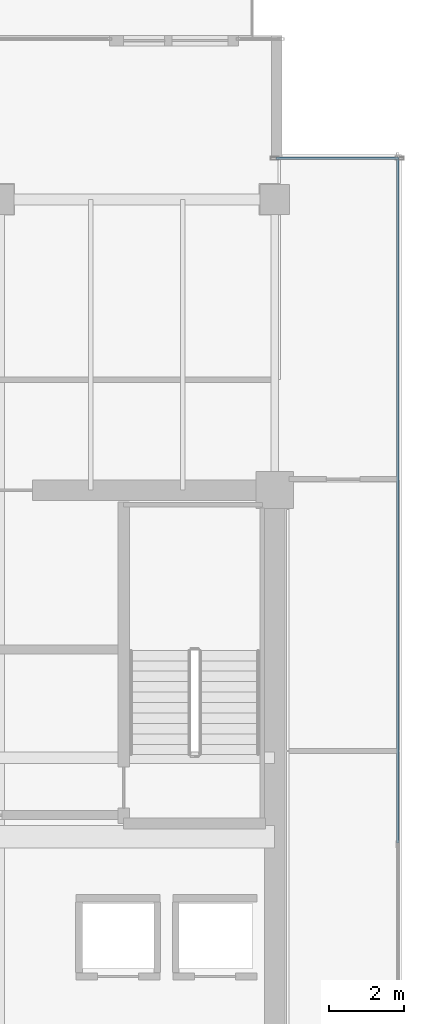
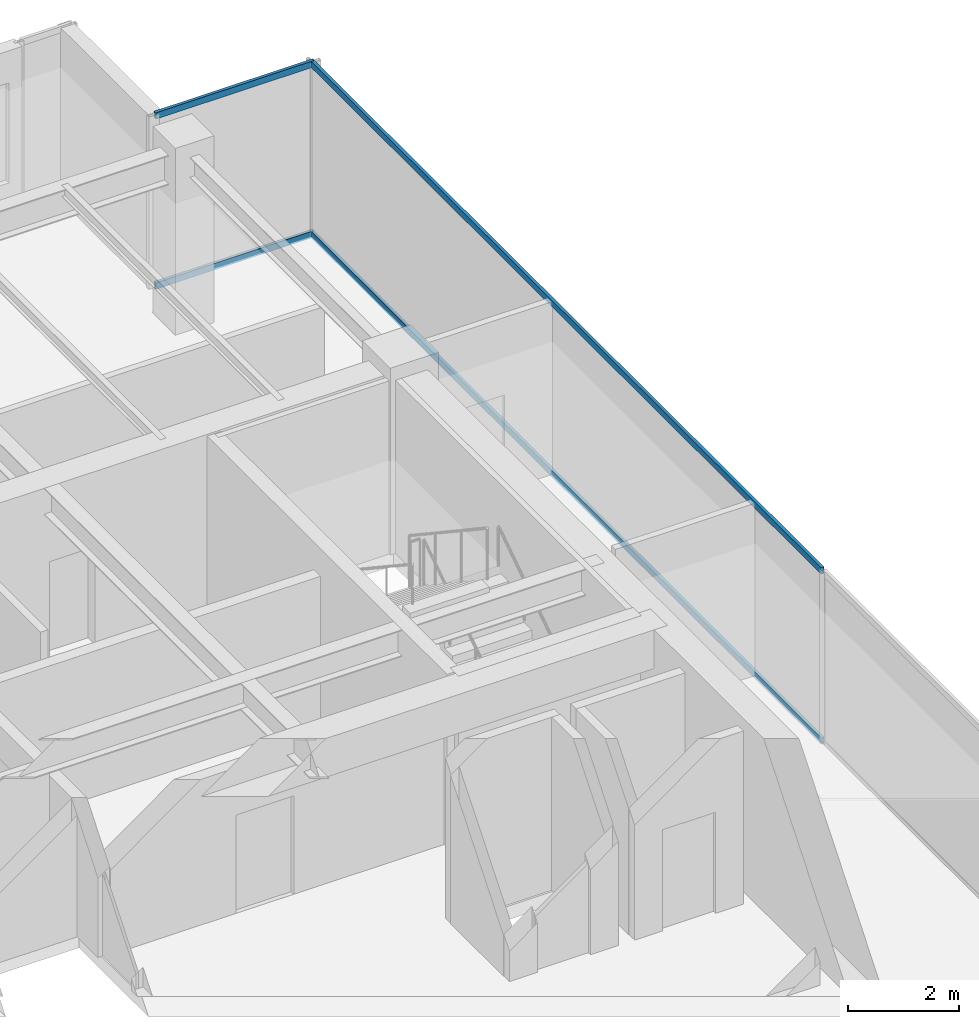
# One storey, part 25 of 35: 4 members, 2 elements without a shape of their own.
"""IFC4 building model written with IfcOpenShell, lengths in metres."""

from ifc_helpers import new_model, si_unit, direction, frame, origin, origin_2d, place, context, subcontext, project, spatial, hollow_rectangle, extrude, source, transform, mapped, material, layer, layer_set, material_profile, profile_set, type_object, type_shapes, element, aggregate, save


model = new_model("IFC4")

# Units and contexts
model_context = context("Model", 3, precision=1e-05, world=origin(), true_north=direction((0.0, 1.0)))
body_context = subcontext(model_context, "Body", "Model", "MODEL_VIEW")
ifc_project = project(units=[si_unit("LENGTHUNIT", "METRE"), si_unit("AREAUNIT", "SQUARE_METRE"), si_unit("VOLUMEUNIT", "CUBIC_METRE"), si_unit("PLANEANGLEUNIT", "RADIAN"), si_unit("MASSUNIT", "GRAM", prefix="KILO")], contexts=[model_context])

# Site, building, storey
site_placement = place(None, origin())
site = spatial("IfcSite", under=ifc_project, at=site_placement, CompositionType="ELEMENT")
building_placement = place(site_placement, origin())
building = spatial("IfcBuilding", under=site, at=building_placement, Name="Haelvirn Gate Laboratories", CompositionType="ELEMENT")
storey_placement = place(building_placement, frame((0.0, 0.0, 283.39990234375)))
storey = spatial("IfcBuildingStorey", under=building, at=storey_placement, Name="L68", CompositionType="ELEMENT", Elevation=283.39990234375)

# Curtain wall, members
ifc_material_1 = material(Name="Anodised bronze unitised aluminium & triple low-E glass", Category="aluminium")
ifc_layer_1 = layer(ifc_material_1, 0.181884765625, Name="CW-SYS-5")
ifc_layer_set_1 = layer_set([ifc_layer_1], Name="Anodised bronze unitised aluminium & triple low-E glass")
curtain_wall_type_1 = type_object("IfcCurtainWallType", Name="CW-SYS-5", PredefinedType="NOTDEFINED", material=ifc_layer_set_1)
curtain_wall_1_placement = place(storey_placement, origin())
curtain_wall_1 = element("IfcCurtainWall", 1, at=curtain_wall_1_placement, inside=storey, type_object=curtain_wall_type_1, Name="L68 Unitised Curtain Wall CW-L68-P0-E08-1", PredefinedType="NOTDEFINED")
ifc_material_2 = material(Name="Extruded aluminium 6063-T6 (anodised bronze)", Category="aluminium")
ifc_material_profile = material_profile(ifc_material_2, hollow_rectangle(XDim=0.06494140625, YDim=0.139892578125, WallThickness=0.00390625, at=origin_2d()), Name="CWT-140x65x4")
ifc_profile_set = profile_set([ifc_material_profile], Name="Extruded aluminium 6063-T6 (anodised bronze)")
member_type = type_object("IfcMemberType", Name="CWT-T140", PredefinedType="USERDEFINED", material=ifc_profile_set)
shared_shape_1 = source(origin(), body_context, "Body", "SweptSolid", [
    extrude(hollow_rectangle(XDim=0.06494140625, YDim=0.139892578125, WallThickness=0.00390625, at=origin_2d()), origin(), (0.0, 0.0, 1.0), 3.280029296875),
])
member_1_placement = place(storey_placement, frame((67.43994140625, 42.699951171875, 0.03271484375), z_axis=(1.0, 0.0, 0.0), x_axis=(0.0, 1.0, 0.0)))
member_1 = element("IfcMember", 2, at=member_1_placement, type_object=member_type, Name="CW5 transom 1.1", ObjectType="TRANSOM", PredefinedType="USERDEFINED", context=body_context, shape_type="MappedRepresentation", body=[
    mapped(shared_shape_1, transform((0.0, 0.0, 0.0), scale=1.0)),
])
member_2_placement = place(storey_placement, frame((67.43994140625, 42.699951171875, 3.767578125), z_axis=(1.0, 0.0, 0.0), x_axis=(0.0, 1.0, 0.0)))
member_2 = element("IfcMember", 3, at=member_2_placement, type_object=member_type, Name="CW5 transom 1.2", ObjectType="TRANSOM", PredefinedType="USERDEFINED", context=body_context, shape_type="MappedRepresentation", body=[
    mapped(shared_shape_1, transform((0.0, 0.0, 0.0), scale=1.0)),
])
aggregate(curtain_wall_1, [member_1, member_2])

ifc_layer_2 = layer(ifc_material_1, 0.176025390625, Name="CW-SYS-4")
ifc_layer_set_2 = layer_set([ifc_layer_2], Name="Anodised bronze unitised aluminium & triple low-E glass")
curtain_wall_type_2 = type_object("IfcCurtainWallType", Name="CW-SYS-4", PredefinedType="NOTDEFINED", material=ifc_layer_set_2)
curtain_wall_2_placement = place(storey_placement, origin())
curtain_wall_2 = element("IfcCurtainWall", 4, at=curtain_wall_2_placement, inside=storey, type_object=curtain_wall_type_2, Name="L68 Unitised Curtain Wall CW-L68-P0-E07", PredefinedType="NOTDEFINED")
shared_shape_2 = source(origin(), body_context, "Body", "SweptSolid", [
    extrude(hollow_rectangle(XDim=0.06494140625, YDim=0.139892578125, WallThickness=0.00390625, at=origin_2d()), origin(), (0.0, 0.0, 1.0), 18.39501953125),
])
type_shapes(member_type, [shared_shape_1, shared_shape_2])
member_3_placement = place(storey_placement, frame((70.699951171875, 24.3349609375, 0.03271484375), z_axis=(0.0, 1.0, 0.0), x_axis=(-1.0, 0.0, 0.0)))
member_3 = element("IfcMember", 5, at=member_3_placement, type_object=member_type, Name="CW4 transom 2.1", ObjectType="TRANSOM", PredefinedType="USERDEFINED", context=body_context, shape_type="MappedRepresentation", body=[
    mapped(shared_shape_2, transform((0.0, 0.0, 0.0), scale=1.0)),
])
member_4_placement = place(storey_placement, frame((70.699951171875, 24.3349609375, 3.767578125), z_axis=(0.0, 1.0, 0.0), x_axis=(-1.0, 0.0, 0.0)))
member_4 = element("IfcMember", 6, at=member_4_placement, type_object=member_type, Name="CW4 transom 2.2", ObjectType="TRANSOM", PredefinedType="USERDEFINED", context=body_context, shape_type="MappedRepresentation", body=[
    mapped(shared_shape_2, transform((0.0, 0.0, 0.0), scale=1.0)),
])
aggregate(curtain_wall_2, [member_3, member_4])

save(model, "model.ifc")
